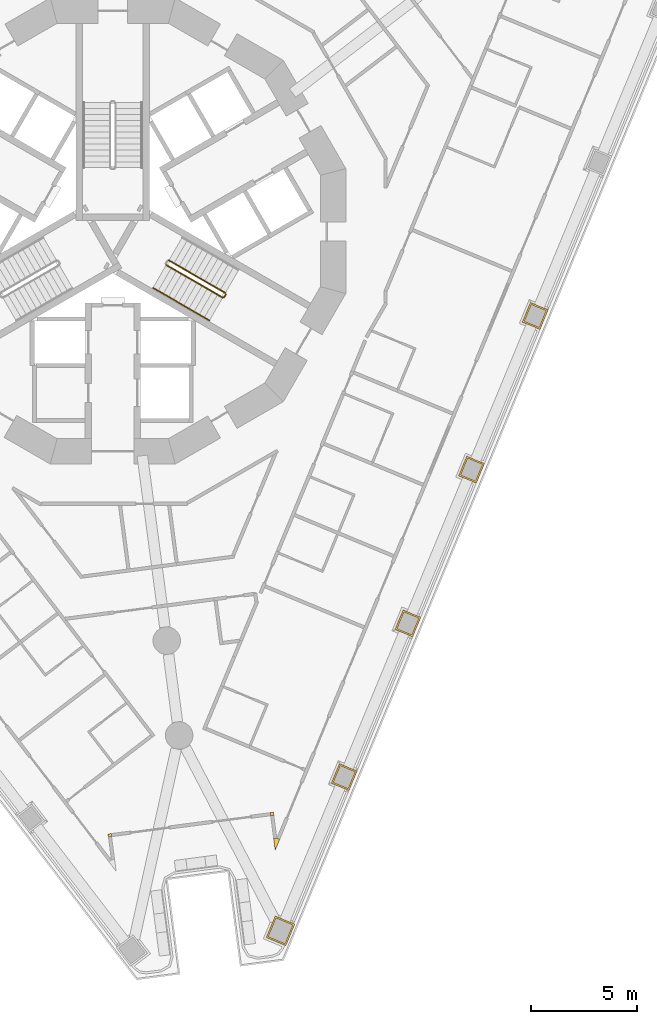
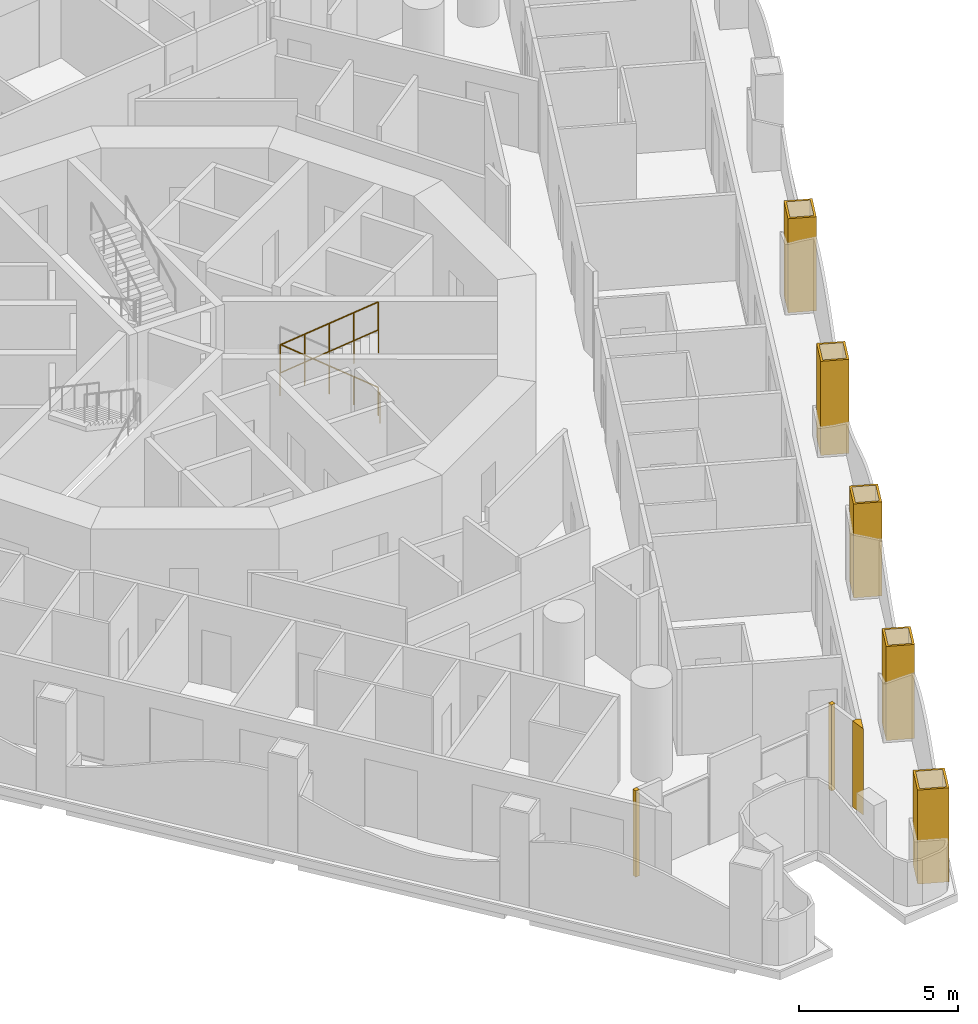
# One storey, part 14 of 19: 8 coverings, 5 railings.
"""IFC4 building model written with IfcOpenShell, lengths in metres."""

from ifc_helpers import new_model, si_unit, direction, frame, origin, origin_2d, place, context, subcontext, project, spatial, polyline, circle, outline, extrude, material, layer, layer_set, type_object, element, save


model = new_model("IFC4")

# Units and contexts
model_context = context("Model", 3, precision=1e-05, world=origin(), true_north=direction((0.0, 1.0)))
body_context = subcontext(model_context, "Body", "Model", "MODEL_VIEW")
ifc_project = project(units=[si_unit("LENGTHUNIT", "METRE"), si_unit("AREAUNIT", "SQUARE_METRE"), si_unit("VOLUMEUNIT", "CUBIC_METRE"), si_unit("PLANEANGLEUNIT", "RADIAN"), si_unit("MASSUNIT", "GRAM", prefix="KILO")], contexts=[model_context])

# Site, building, storey
site_placement = place(None, origin())
site = spatial("IfcSite", under=ifc_project, at=site_placement, CompositionType="ELEMENT")
building_placement = place(site_placement, origin())
building = spatial("IfcBuilding", under=site, at=building_placement, Name="Trine Commons Tower", CompositionType="ELEMENT")
storey_placement = place(building_placement, frame((0.0, 0.0, 75.60009765625)))
storey = spatial("IfcBuildingStorey", under=building, at=storey_placement, Name="L18", CompositionType="ELEMENT", Elevation=75.60009765625)

# Coverings
ifc_material_1 = material(Name="Aluminium-framed insulated wall panel", Category="aluminium")
ifc_layer_1 = layer(ifc_material_1, 0.14990234375)
ifc_layer_set_1 = layer_set([ifc_layer_1], Name="Aluminium-framed insulated wall panel")
covering_type_1 = type_object("IfcCoveringType", Name="Glazing corner post, aluminium", PredefinedType="CLADDING", material=ifc_layer_set_1)
covering_1_placement = place(storey_placement, origin())
element("IfcCovering", 1, at=covering_1_placement, inside=storey, type_object=covering_type_1, Name="Glazing corner post 2-09", PredefinedType="CLADDING", context=body_context, shape_type="SweptSolid", body=[
    extrude(outline(polyline([(87.6015625, 33.79736328125), (87.674560546875, 33.242431640625), (87.888916015625, 33.759521484375), (87.750244140625, 33.81689453125), (87.6015625, 33.79736328125)])), origin(), (0.0, 0.0, 1.0), 3.2998046875),
])
covering_2_placement = place(storey_placement, origin())
element("IfcCovering", 2, at=covering_2_placement, inside=storey, type_object=covering_type_1, Name="Glazing corner post 2-10", PredefinedType="CLADDING", context=body_context, shape_type="SweptSolid", body=[
    extrude(outline(polyline([(87.440185546875, 35.0224609375), (87.459716796875, 34.873779296875), (87.6083984375, 34.893310546875), (87.5888671875, 35.0419921875), (87.440185546875, 35.0224609375)])), origin(), (0.0, 0.0, 1.0), 3.2998046875),
])
covering_3_placement = place(storey_placement, origin())
element("IfcCovering", 3, at=covering_3_placement, inside=storey, type_object=covering_type_1, Name="Glazing corner post 2-11", PredefinedType="CLADDING", context=body_context, shape_type="SweptSolid", body=[
    extrude(outline(polyline([(79.7958984375, 33.864990234375), (79.944580078125, 33.884521484375), (79.925048828125, 34.033203125), (79.7763671875, 34.013671875), (79.7958984375, 33.864990234375)])), origin(), (0.0, 0.0, 1.0), 3.2998046875),
])
ifc_material_2 = material(Name="Limestone, honed", Category="masonry")
ifc_layer_2 = layer(ifc_material_2, 0.074951171875)
ifc_layer_set_2 = layer_set([ifc_layer_2], Name="Limestone, honed")
covering_type_2 = type_object("IfcCoveringType", Name="Limestone column cladding 75", PredefinedType="CLADDING", material=ifc_layer_set_2)
covering_4_placement = place(storey_placement, origin())
element("IfcCovering", 4, at=covering_4_placement, inside=storey, type_object=covering_type_2, Name="Limestone pier cladding 2-20", PredefinedType="CLADDING", context=body_context, shape_type="SweptSolid", body=[
    extrude(outline(polyline([(100.5673828125, 58.77587890625), (99.73583984375, 59.120361328125), (99.35302734375, 58.196533203125), (100.1845703125, 57.852294921875), (100.5673828125, 58.77587890625)]), holes=[polyline([(100.46923828125, 58.7353515625), (99.7763671875, 59.0224609375), (99.451171875, 58.2373046875), (100.14404296875, 57.9501953125), (100.46923828125, 58.7353515625)])]), origin(), (0.0, 0.0, 1.0), 3.599853515625),
])
covering_5_placement = place(storey_placement, origin())
element("IfcCovering", 5, at=covering_5_placement, inside=storey, type_object=covering_type_2, Name="Limestone pier cladding 2-21", PredefinedType="CLADDING", context=body_context, shape_type="SweptSolid", body=[
    extrude(outline(polyline([(97.55908203125, 51.513916015625), (96.727783203125, 51.858154296875), (96.344970703125, 50.934326171875), (97.176513671875, 50.590087890625), (97.55908203125, 51.513916015625)]), holes=[polyline([(97.461181640625, 51.47314453125), (96.768310546875, 51.76025390625), (96.443115234375, 50.97509765625), (97.135986328125, 50.68798828125), (97.461181640625, 51.47314453125)])]), origin(), (0.0, 0.0, 1.0), 3.599853515625),
])
covering_6_placement = place(storey_placement, origin())
element("IfcCovering", 6, at=covering_6_placement, inside=storey, type_object=covering_type_2, Name="Limestone pier cladding 2-22", PredefinedType="CLADDING", context=body_context, shape_type="SweptSolid", body=[
    extrude(outline(polyline([(94.551025390625, 44.251708984375), (93.719482421875, 44.59619140625), (93.3369140625, 43.67236328125), (94.16845703125, 43.327880859375), (94.551025390625, 44.251708984375)]), holes=[polyline([(94.453125, 44.211181640625), (93.76025390625, 44.498291015625), (93.434814453125, 43.712890625), (94.127685546875, 43.42578125), (94.453125, 44.211181640625)])]), origin(), (0.0, 0.0, 1.0), 3.599853515625),
])
covering_7_placement = place(storey_placement, origin())
element("IfcCovering", 7, at=covering_7_placement, inside=storey, type_object=covering_type_2, Name="Limestone pier cladding 2-23", PredefinedType="CLADDING", context=body_context, shape_type="SweptSolid", body=[
    extrude(outline(polyline([(91.54296875, 36.989501953125), (90.71142578125, 37.333984375), (90.328857421875, 36.41015625), (91.160400390625, 36.065673828125), (91.54296875, 36.989501953125)]), holes=[polyline([(91.445068359375, 36.948974609375), (90.752197265625, 37.236083984375), (90.4267578125, 36.45068359375), (91.11962890625, 36.16357421875), (91.445068359375, 36.948974609375)])]), origin(), (0.0, 0.0, 1.0), 3.599853515625),
])
covering_8_placement = place(storey_placement, origin())
element("IfcCovering", 8, at=covering_8_placement, inside=storey, type_object=covering_type_2, Name="Limestone pier cladding 2-24", PredefinedType="CLADDING", context=body_context, shape_type="SweptSolid", body=[
    extrude(outline(polyline([(88.60009765625, 29.75439453125), (87.67626953125, 30.13720703125), (87.25537109375, 29.120849609375), (88.17919921875, 28.738037109375), (88.60009765625, 29.75439453125)]), holes=[polyline([(88.502197265625, 29.7138671875), (87.716796875, 30.0390625), (87.353515625, 29.161376953125), (88.138671875, 28.836181640625), (88.502197265625, 29.7138671875)])]), origin(), (0.0, 0.0, 1.0), 3.599853515625),
])

# Railings
ifc_material_3 = material(Name="Stainless steel balustrade", Category="steel")
railing_type_1 = type_object("IfcRailingType", Name="Stair guard, steel balustrade 1100", PredefinedType="GUARDRAIL", material=ifc_material_3)
railing_1_placement = place(storey_placement, frame((85.31982421875, 59.572998046875, 0.14990234375)))
element("IfcRailing", 9, at=railing_1_placement, inside=storey, type_object=railing_type_1, Name="L18 ST3A stair guard 1", PredefinedType="GUARDRAIL", context=body_context, shape_type="SweptSolid", body=[
    extrude(circle(Radius=0.02392578125, at=origin_2d()), frame((0.0, 0.0, 1.076171875), z_axis=(-0.76340495495, 0.440743040072, 0.472184759798), x_axis=(-0.499992328818, -0.866029832698, 0.0)), (0.0, 0.0, 1.0), 3.494140625),
    extrude(circle(Radius=0.02099609375, at=origin_2d()), origin(), (0.0, 0.0, 1.0), 1.052001953125),
    extrude(circle(Radius=0.02099609375, at=origin_2d()), frame((-0.6669921875, 0.385009765625, 0.41259765625)), (0.0, 0.0, 1.0), 1.052001953125),
    extrude(circle(Radius=0.02099609375, at=origin_2d()), frame((-1.333740234375, 0.77001953125, 0.824951171875)), (0.0, 0.0, 1.0), 1.052001953125),
    extrude(circle(Radius=0.02099609375, at=origin_2d()), frame((-2.00048828125, 1.155029296875, 1.2373046875)), (0.0, 0.0, 1.0), 1.052001953125),
    extrude(circle(Radius=0.02099609375, at=origin_2d()), frame((-2.66748046875, 1.5400390625, 1.64990234375)), (0.0, 0.0, 1.0), 1.052001953125),
])
railing_2_placement = place(storey_placement, frame((82.52734375, 60.896484375, 1.949951171875)))
element("IfcRailing", 10, at=railing_2_placement, inside=storey, type_object=railing_type_1, Name="L18 ST3A stair guard 3", PredefinedType="GUARDRAIL", context=body_context, shape_type="SweptSolid", body=[
    extrude(circle(Radius=0.02392578125, at=origin_2d()), frame((0.0, 0.0, 1.076171875), z_axis=(0.76340495495, -0.440743040072, 0.472184759798), x_axis=(0.499992328818, 0.866029832698, 0.0)), (0.0, 0.0, 1.0), 3.494140625),
    extrude(circle(Radius=0.02099609375, at=origin_2d()), origin(), (0.0, 0.0, 1.0), 1.052001953125),
    extrude(circle(Radius=0.02099609375, at=origin_2d()), frame((0.6669921875, -0.385009765625, 0.41259765625)), (0.0, 0.0, 1.0), 1.052001953125),
    extrude(circle(Radius=0.02099609375, at=origin_2d()), frame((1.333740234375, -0.77001953125, 0.824951171875)), (0.0, 0.0, 1.0), 1.052001953125),
    extrude(circle(Radius=0.02099609375, at=origin_2d()), frame((2.00048828125, -1.155029296875, 1.2373046875)), (0.0, 0.0, 1.0), 1.052001953125),
    extrude(circle(Radius=0.02099609375, at=origin_2d()), frame((2.66748046875, -1.5400390625, 1.64990234375)), (0.0, 0.0, 1.0), 1.052001953125),
])
railing_3_placement = place(storey_placement, frame((85.338134765625, 59.504638671875, 0.0)))
element("IfcRailing", 11, at=railing_3_placement, inside=storey, type_object=railing_type_1, Name="L18 ST3A stair guard 4", PredefinedType="GUARDRAIL", context=body_context, shape_type="SweptSolid", body=[
    extrude(circle(Radius=0.02392578125, at=origin_2d()), frame((0.0, 0.0, 1.076171875), z_axis=(-0.499816412211, -0.866131372301, 0.0), x_axis=(0.866131372301, -0.499816412211, 0.0)), (0.0, 0.0, 1.0), 0.14990234375),
    extrude(circle(Radius=0.02099609375, at=origin_2d()), origin(), (0.0, 0.0, 1.0), 1.052001953125),
    extrude(circle(Radius=0.02099609375, at=origin_2d()), frame((-0.074951171875, -0.1298828125, 0.0)), (0.0, 0.0, 1.0), 1.052001953125),
])
ifc_material_4 = material(Name="Stainless steel handrail", Category="steel")
railing_type_2 = type_object("IfcRailingType", Name="Stair handrail, steel 900", PredefinedType="HANDRAIL", material=ifc_material_4)
for number, where, name in (
    (12, (81.90234375, 59.81396484375, 1.949951171875), "L18 ST3A stair handrail 3"),
    (13, (83.236083984375, 59.0439453125, 2.77490234375), "L18 ST3A stair handrail 4"),
):
    element("IfcRailing", number, at=place(storey_placement, frame(where)), inside=storey, type_object=railing_type_2, Name=name, PredefinedType="HANDRAIL", context=body_context, shape_type="SweptSolid", body=[
        extrude(circle(Radius=0.02099609375, at=origin_2d()), frame((0.0, 0.0, 0.87890625), z_axis=(0.76340495495, -0.440743040072, 0.472184759798), x_axis=(0.499992328818, 0.866029832698, 0.0)), (0.0, 0.0, 1.0), 1.7470703125),
        extrude(circle(Radius=0.01513671875, at=origin_2d()), origin(), (0.0, 0.0, 1.0), 0.85791015625),
        extrude(circle(Radius=0.01513671875, at=origin_2d()), frame((0.6669921875, -0.385009765625, 0.41259765625)), (0.0, 0.0, 1.0), 0.85791015625),
        extrude(circle(Radius=0.01513671875, at=origin_2d()), frame((1.333740234375, -0.77001953125, 0.824951171875)), (0.0, 0.0, 1.0), 0.85791015625),
    ])

save(model, "model.ifc")
